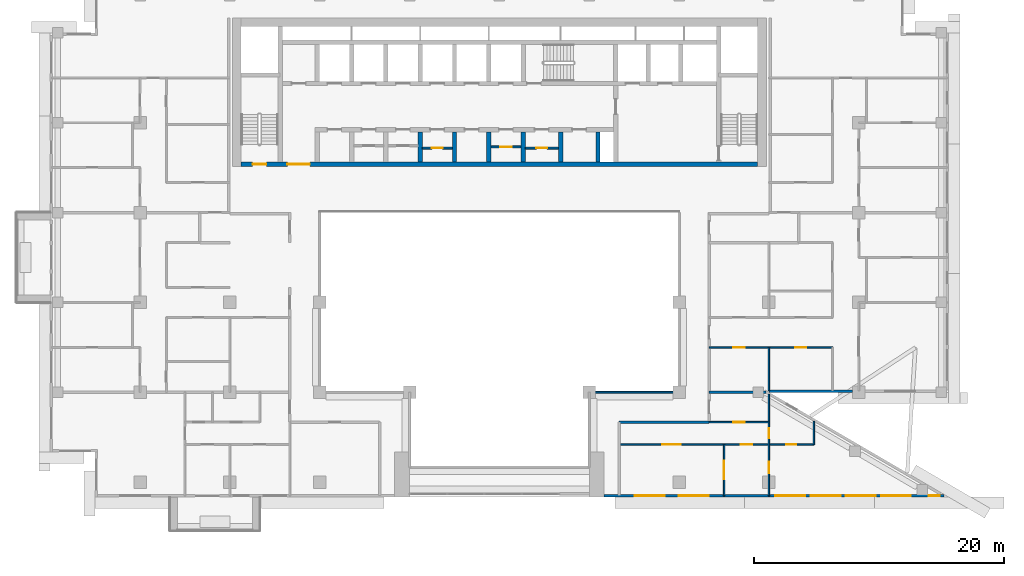
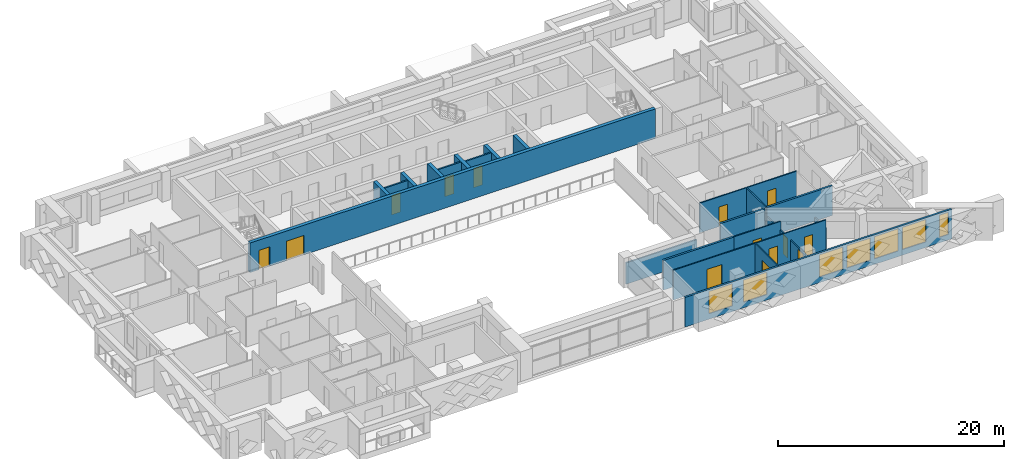
# One storey, part 8 of 20: 22 walls, 14 doors, 7 windows, 21 openings.
"""IFC4 building model written with IfcOpenShell, lengths in metres."""

from ifc_helpers import new_model, si_unit, direction, frame, frame_2d, origin, place, context, subcontext, project, spatial, rectangle, extrude, material, layer, layer_set, type_object, element, fill, save


model = new_model("IFC4")

# Units and contexts
model_context = context("Model", 3, precision=1e-05, world=origin(), true_north=direction((0.0, 1.0)))
body_context = subcontext(model_context, "Body", "Model", "MODEL_VIEW")
ifc_project = project(units=[si_unit("LENGTHUNIT", "METRE"), si_unit("AREAUNIT", "SQUARE_METRE"), si_unit("VOLUMEUNIT", "CUBIC_METRE"), si_unit("PLANEANGLEUNIT", "RADIAN"), si_unit("MASSUNIT", "GRAM", prefix="KILO")], contexts=[model_context])

# Site, building, storey
site_placement = place(None, origin())
site = spatial("IfcSite", under=ifc_project, at=site_placement, CompositionType="ELEMENT")
building_placement = place(site_placement, origin())
building = spatial("IfcBuilding", under=site, at=building_placement, Name="Saffron Iwan Residences", CompositionType="ELEMENT")
storey_placement = place(building_placement, frame((0.0, 0.0, 164.0)))
storey = spatial("IfcBuildingStorey", under=building, at=storey_placement, Name="L43", CompositionType="ELEMENT", Elevation=164.0)

# Wall
ifc_material_1 = material(Name="Fire-rated glazing", Category="glass")
ifc_layer_1 = layer(ifc_material_1, 0.14990234375)
ifc_layer_set_1 = layer_set([ifc_layer_1], Name="Fire-rated glazing")
wall_type_1 = type_object("IfcWallType", Name="Atrium glazed screen 150", PredefinedType="SOLIDWALL", material=ifc_layer_set_1)
wall_1_placement = place(storey_placement, frame((57.60009765625, 48.0, 0.0), z_axis=(0.0, 0.0, 1.0), x_axis=(1.0, 0.0, 0.0)))
element("IfcWall", 1, at=wall_1_placement, inside=storey, type_object=wall_type_1, Name="W-L43-SCREEN-h48-57.6", PredefinedType="SOLIDWALL", context=body_context, shape_type="SweptSolid", body=[
    extrude(rectangle(XDim=7.199951171875, YDim=0.14990234375, at=frame_2d((3.60009765625, 0.0))), origin(), (0.0, 0.0, 1.0), 2.300048828125),
])

# Wall, opening, door
ifc_material_2 = material(Name="Fire-rated plasterboard partition")
ifc_layer_2 = layer(ifc_material_2, 0.14990234375)
ifc_layer_set_2 = layer_set([ifc_layer_2], Name="Fire-rated plasterboard partition")
wall_type_2 = type_object("IfcWallType", Name="Core partition 150", PredefinedType="PARTITIONING", material=ifc_layer_set_2)
wall_2_placement = place(storey_placement, frame((44.22509765625, 67.5654296875, 0.0), z_axis=(0.0, 0.0, 1.0), x_axis=(1.0, 0.0, 0.0)))
wall_2 = element("IfcWall", 2, at=wall_2_placement, inside=storey, type_object=wall_type_2, Name="Core partition P03", PredefinedType="PARTITIONING", context=body_context, shape_type="SweptSolid", body=[
    extrude(rectangle(XDim=2.39990234375, YDim=0.14990234375, at=frame_2d((1.199951171875, 0.0))), origin(), (0.0, 0.0, 1.0), 3.199951171875),
])
opening_1_placement = place(wall_2_placement, frame((0.75, 0.0, 0.0)))
opening_1 = element("IfcOpeningElement", 3, at=opening_1_placement, cuts=wall_2, Name="Opening SB", PredefinedType="OPENING", context=body_context, shape_type="SweptSolid", body=[
    extrude(rectangle(XDim=0.89990234375, YDim=2.10009765625, at=frame_2d((0.449951171875, 1.050048828125))), frame((0.0, 0.0849609375, 0.0), z_axis=(0.0, -1.0, 0.0), x_axis=(1.0, 0.0, 0.0)), (0.0, 0.0, 1.0), 0.169921875),
])
ifc_material_3 = material(Name="Steel fire door", Category="steel")
door_type_1 = type_object("IfcDoorType", Name="Store door 900", OperationType="NOTDEFINED", PredefinedType="DOOR", material=ifc_material_3)
door_1_placement = place(opening_1_placement, origin())
door_1 = element("IfcDoor", 4, at=door_1_placement, inside=storey, type_object=door_type_1, Name="Door Spares store", OperationType="SINGLE_SWING_LEFT", OverallHeight=2.10009765625, OverallWidth=0.89990234375, PredefinedType="DOOR", context=body_context, shape_type="SweptSolid", body=[
    extrude(rectangle(XDim=0.89990234375, YDim=2.10009765625, at=frame_2d((0.449951171875, 1.050048828125))), frame((0.0, 0.02490234375, 0.0), z_axis=(0.0, -1.0, 0.0), x_axis=(1.0, 0.0, 0.0)), (0.0, 0.0, 1.0), 0.050048828125),
])
fill(opening_1, door_1)

wall_3_placement = place(storey_placement, frame((49.72509765625, 67.66259765625, 0.0), z_axis=(0.0, 0.0, 1.0), x_axis=(1.0, 0.0, 0.0)))
wall_3 = element("IfcWall", 5, at=wall_3_placement, inside=storey, type_object=wall_type_2, Name="Core partition P04", PredefinedType="PARTITIONING", context=body_context, shape_type="SweptSolid", body=[
    extrude(rectangle(XDim=2.39990234375, YDim=0.14990234375, at=frame_2d((1.199951171875, 0.0))), origin(), (0.0, 0.0, 1.0), 3.199951171875),
])
opening_2_placement = place(wall_3_placement, frame((0.75, 0.0, 0.0)))
opening_2 = element("IfcOpeningElement", 6, at=opening_2_placement, cuts=wall_3, Name="Opening SB", PredefinedType="OPENING", context=body_context, shape_type="SweptSolid", body=[
    extrude(rectangle(XDim=0.89990234375, YDim=2.10009765625, at=frame_2d((0.449951171875, 1.050048828125))), frame((0.0, 0.0849609375, 0.0), z_axis=(0.0, -1.0, 0.0), x_axis=(1.0, 0.0, 0.0)), (0.0, 0.0, 1.0), 0.169921875),
])
door_2_placement = place(opening_2_placement, origin())
door_2 = element("IfcDoor", 7, at=door_2_placement, inside=storey, type_object=door_type_1, Name="Door Records store", OperationType="SINGLE_SWING_LEFT", OverallHeight=2.10009765625, OverallWidth=0.89990234375, PredefinedType="DOOR", context=body_context, shape_type="SweptSolid", body=[
    extrude(rectangle(XDim=0.89990234375, YDim=2.10009765625, at=frame_2d((0.449951171875, 1.050048828125))), frame((0.0, 0.02490234375, 0.0), z_axis=(0.0, -1.0, 0.0), x_axis=(1.0, 0.0, 0.0)), (0.0, 0.0, 1.0), 0.050048828125),
])
fill(opening_2, door_2)

wall_4_placement = place(storey_placement, frame((52.47509765625, 67.5654296875, 0.0), z_axis=(0.0, 0.0, 1.0), x_axis=(1.0, 0.0, 0.0)))
wall_4 = element("IfcWall", 8, at=wall_4_placement, inside=storey, type_object=wall_type_2, Name="Core partition P05", PredefinedType="PARTITIONING", context=body_context, shape_type="SweptSolid", body=[
    extrude(rectangle(XDim=2.64990234375, YDim=0.14990234375, at=frame_2d((1.324951171875, 0.0))), origin(), (0.0, 0.0, 1.0), 3.199951171875),
])
opening_3_placement = place(wall_4_placement, frame((0.875, 0.0, 0.0)))
opening_3 = element("IfcOpeningElement", 9, at=opening_3_placement, cuts=wall_4, Name="Opening SB", PredefinedType="OPENING", context=body_context, shape_type="SweptSolid", body=[
    extrude(rectangle(XDim=0.89990234375, YDim=2.10009765625, at=frame_2d((0.449951171875, 1.050048828125))), frame((0.0, 0.0849609375, 0.0), z_axis=(0.0, -1.0, 0.0), x_axis=(1.0, 0.0, 0.0)), (0.0, 0.0, 1.0), 0.169921875),
])
door_3_placement = place(opening_3_placement, origin())
door_3 = element("IfcDoor", 10, at=door_3_placement, inside=storey, type_object=door_type_1, Name="Door Equipment store", OperationType="SINGLE_SWING_RIGHT", OverallHeight=2.10009765625, OverallWidth=0.89990234375, PredefinedType="DOOR", context=body_context, shape_type="SweptSolid", body=[
    extrude(rectangle(XDim=0.89990234375, YDim=2.10009765625, at=frame_2d((0.449951171875, 1.050048828125))), frame((0.0, 0.02490234375, 0.0), z_axis=(0.0, -1.0, 0.0), x_axis=(1.0, 0.0, 0.0)), (0.0, 0.0, 1.0), 0.050048828125),
])
fill(opening_3, door_3)

# Wall
ifc_material_4 = material(Name="Concrete C40/50", Category="concrete")
ifc_layer_3 = layer(ifc_material_4, 0.199951171875)
ifc_layer_set_3 = layer_set([ifc_layer_3], Name="Concrete C40/50")
wall_type_3 = type_object("IfcWallType", Name="EXTERNAL WALL 200", PredefinedType="SOLIDWALL", material=ifc_layer_set_3)
wall_5_placement = place(storey_placement, frame((71.989990234375, 48.10009765625, 0.0), z_axis=(0.0, 0.0, 1.0), x_axis=(1.0, 0.0, 0.0)))
element("IfcWall", 11, at=wall_5_placement, inside=storey, type_object=wall_type_3, Name="External wall L43 F1.0", PredefinedType="SOLIDWALL", context=body_context, shape_type="SweptSolid", body=[
    extrude(rectangle(XDim=6.7099609375, YDim=0.199951171875, at=frame_2d((3.35498046875, 0.0))), origin(), (0.0, 0.0, 1.0), 3.199951171875),
])

# Wall, openings, windows
wall_6_placement = place(storey_placement, frame((58.800048828125, 39.699951171875, 0.0), z_axis=(0.0, 0.0, 1.0), x_axis=(1.0, 0.0, 0.0)))
wall_6 = element("IfcWall", 12, at=wall_6_placement, inside=storey, type_object=wall_type_3, Name="External wall L43 F11.1", PredefinedType="SOLIDWALL", context=body_context, shape_type="SweptSolid", body=[
    extrude(rectangle(XDim=27.22998046875, YDim=0.199951171875, at=frame_2d((13.614990234375, 0.0))), origin(), (0.0, 0.0, 1.0), 3.199951171875),
])
opening_4_placement = place(wall_6_placement, frame((2.433349609375, 0.0, 0.60009765625)))
opening_4 = element("IfcOpeningElement", 13, at=opening_4_placement, cuts=wall_6, Name="Opening W1", PredefinedType="OPENING", context=body_context, shape_type="SweptSolid", body=[
    extrude(rectangle(XDim=2.39990234375, YDim=2.39990234375, at=frame_2d((1.199951171875, 1.199951171875))), frame((0.0, 0.10986328125, 0.0), z_axis=(0.0, -1.0, 0.0), x_axis=(1.0, 0.0, 0.0)), (0.0, 0.0, 1.0), 0.219970703125),
])
opening_5_placement = place(wall_6_placement, frame((5.966796875, 0.0, 0.60009765625)))
opening_5 = element("IfcOpeningElement", 14, at=opening_5_placement, cuts=wall_6, Name="Opening W1", PredefinedType="OPENING", context=body_context, shape_type="SweptSolid", body=[
    extrude(rectangle(XDim=2.39990234375, YDim=2.39990234375, at=frame_2d((1.199951171875, 1.199951171875))), frame((0.0, 0.10986328125, 0.0), z_axis=(0.0, -1.0, 0.0), x_axis=(1.0, 0.0, 0.0)), (0.0, 0.0, 1.0), 0.219970703125),
])
opening_6_placement = place(wall_6_placement, frame((13.72021484375, 0.0, 0.60009765625)))
opening_6 = element("IfcOpeningElement", 15, at=opening_6_placement, cuts=wall_6, Name="Opening W1", PredefinedType="OPENING", context=body_context, shape_type="SweptSolid", body=[
    extrude(rectangle(XDim=2.39990234375, YDim=2.39990234375, at=frame_2d((1.199951171875, 1.199951171875))), frame((0.0, 0.10986328125, 0.0), z_axis=(0.0, -1.0, 0.0), x_axis=(1.0, 0.0, 0.0)), (0.0, 0.0, 1.0), 0.219970703125),
])
opening_7_placement = place(wall_6_placement, frame((16.54052734375, 0.0, 0.60009765625)))
opening_7 = element("IfcOpeningElement", 16, at=opening_7_placement, cuts=wall_6, Name="Opening W1", PredefinedType="OPENING", context=body_context, shape_type="SweptSolid", body=[
    extrude(rectangle(XDim=2.39990234375, YDim=2.39990234375, at=frame_2d((1.199951171875, 1.199951171875))), frame((0.0, 0.10986328125, 0.0), z_axis=(0.0, -1.0, 0.0), x_axis=(1.0, 0.0, 0.0)), (0.0, 0.0, 1.0), 0.219970703125),
])
opening_8_placement = place(wall_6_placement, frame((19.360595703125, 0.0, 0.60009765625)))
opening_8 = element("IfcOpeningElement", 17, at=opening_8_placement, cuts=wall_6, Name="Opening W1", PredefinedType="OPENING", context=body_context, shape_type="SweptSolid", body=[
    extrude(rectangle(XDim=2.39990234375, YDim=2.39990234375, at=frame_2d((1.199951171875, 1.199951171875))), frame((0.0, 0.10986328125, 0.0), z_axis=(0.0, -1.0, 0.0), x_axis=(1.0, 0.0, 0.0)), (0.0, 0.0, 1.0), 0.219970703125),
])
opening_9_placement = place(wall_6_placement, frame((22.180908203125, 0.0, 0.60009765625)))
opening_9 = element("IfcOpeningElement", 18, at=opening_9_placement, cuts=wall_6, Name="Opening W1", PredefinedType="OPENING", context=body_context, shape_type="SweptSolid", body=[
    extrude(rectangle(XDim=2.39990234375, YDim=2.39990234375, at=frame_2d((1.199951171875, 1.199951171875))), frame((0.0, 0.10986328125, 0.0), z_axis=(0.0, -1.0, 0.0), x_axis=(1.0, 0.0, 0.0)), (0.0, 0.0, 1.0), 0.219970703125),
])
opening_10_placement = place(wall_6_placement, frame((25.990478515625, 0.0, 0.60009765625)))
opening_10 = element("IfcOpeningElement", 19, at=opening_10_placement, cuts=wall_6, Name="Opening W10", PredefinedType="OPENING", context=body_context, shape_type="SweptSolid", body=[
    extrude(rectangle(XDim=0.89990234375, YDim=2.39990234375, at=frame_2d((0.449951171875, 1.199951171875))), frame((0.0, 0.10986328125, 0.0), z_axis=(0.0, -1.0, 0.0), x_axis=(1.0, 0.0, 0.0)), (0.0, 0.0, 1.0), 0.219970703125),
])
ifc_material_5 = material(Name="Clear glass, laminated double glazed", Category="glass")
window_type_1 = type_object("IfcWindowType", Name="WINDOW 2400 x 2400", PartitioningType="DOUBLE_PANEL_VERTICAL", PredefinedType="WINDOW", material=ifc_material_5)
window_1_placement = place(opening_4_placement, origin())
window_1 = element("IfcWindow", 20, at=window_1_placement, inside=storey, type_object=window_type_1, Name="Window L43 F11.0", OverallHeight=2.39990234375, OverallWidth=2.39990234375, PartitioningType="DOUBLE_PANEL_VERTICAL", PredefinedType="WINDOW", context=body_context, shape_type="SweptSolid", body=[
    extrude(rectangle(XDim=2.39990234375, YDim=2.39990234375, at=frame_2d((1.199951171875, 1.199951171875))), frame((0.0, 0.030029296875, 0.0), z_axis=(0.0, -1.0, 0.0), x_axis=(1.0, 0.0, 0.0)), (0.0, 0.0, 1.0), 0.06005859375),
])
fill(opening_4, window_1)
window_2_placement = place(opening_5_placement, origin())
window_2 = element("IfcWindow", 21, at=window_2_placement, inside=storey, type_object=window_type_1, Name="Window L43 F11.1", OverallHeight=2.39990234375, OverallWidth=2.39990234375, PartitioningType="DOUBLE_PANEL_VERTICAL", PredefinedType="WINDOW", context=body_context, shape_type="SweptSolid", body=[
    extrude(rectangle(XDim=2.39990234375, YDim=2.39990234375, at=frame_2d((1.199951171875, 1.199951171875))), frame((0.0, 0.030029296875, 0.0), z_axis=(0.0, -1.0, 0.0), x_axis=(1.0, 0.0, 0.0)), (0.0, 0.0, 1.0), 0.06005859375),
])
fill(opening_5, window_2)
window_3_placement = place(opening_6_placement, origin())
window_3 = element("IfcWindow", 22, at=window_3_placement, inside=storey, type_object=window_type_1, Name="Window L43 F11.2", OverallHeight=2.39990234375, OverallWidth=2.39990234375, PartitioningType="DOUBLE_PANEL_VERTICAL", PredefinedType="WINDOW", context=body_context, shape_type="SweptSolid", body=[
    extrude(rectangle(XDim=2.39990234375, YDim=2.39990234375, at=frame_2d((1.199951171875, 1.199951171875))), frame((0.0, 0.030029296875, 0.0), z_axis=(0.0, -1.0, 0.0), x_axis=(1.0, 0.0, 0.0)), (0.0, 0.0, 1.0), 0.06005859375),
])
fill(opening_6, window_3)
window_4_placement = place(opening_7_placement, origin())
window_4 = element("IfcWindow", 23, at=window_4_placement, inside=storey, type_object=window_type_1, Name="Window L43 F11.3", OverallHeight=2.39990234375, OverallWidth=2.39990234375, PartitioningType="DOUBLE_PANEL_VERTICAL", PredefinedType="WINDOW", context=body_context, shape_type="SweptSolid", body=[
    extrude(rectangle(XDim=2.39990234375, YDim=2.39990234375, at=frame_2d((1.199951171875, 1.199951171875))), frame((0.0, 0.030029296875, 0.0), z_axis=(0.0, -1.0, 0.0), x_axis=(1.0, 0.0, 0.0)), (0.0, 0.0, 1.0), 0.06005859375),
])
fill(opening_7, window_4)
window_5_placement = place(opening_8_placement, origin())
window_5 = element("IfcWindow", 24, at=window_5_placement, inside=storey, type_object=window_type_1, Name="Window L43 F11.4", OverallHeight=2.39990234375, OverallWidth=2.39990234375, PartitioningType="DOUBLE_PANEL_VERTICAL", PredefinedType="WINDOW", context=body_context, shape_type="SweptSolid", body=[
    extrude(rectangle(XDim=2.39990234375, YDim=2.39990234375, at=frame_2d((1.199951171875, 1.199951171875))), frame((0.0, 0.030029296875, 0.0), z_axis=(0.0, -1.0, 0.0), x_axis=(1.0, 0.0, 0.0)), (0.0, 0.0, 1.0), 0.06005859375),
])
fill(opening_8, window_5)
window_6_placement = place(opening_9_placement, origin())
window_6 = element("IfcWindow", 25, at=window_6_placement, inside=storey, type_object=window_type_1, Name="Window L43 F11.5", OverallHeight=2.39990234375, OverallWidth=2.39990234375, PartitioningType="DOUBLE_PANEL_VERTICAL", PredefinedType="WINDOW", context=body_context, shape_type="SweptSolid", body=[
    extrude(rectangle(XDim=2.39990234375, YDim=2.39990234375, at=frame_2d((1.199951171875, 1.199951171875))), frame((0.0, 0.030029296875, 0.0), z_axis=(0.0, -1.0, 0.0), x_axis=(1.0, 0.0, 0.0)), (0.0, 0.0, 1.0), 0.06005859375),
])
fill(opening_9, window_6)
window_type_2 = type_object("IfcWindowType", Name="WINDOW 900 x 2400", PartitioningType="SINGLE_PANEL", PredefinedType="WINDOW", material=ifc_material_5)
window_7_placement = place(opening_10_placement, origin())
window_7 = element("IfcWindow", 26, at=window_7_placement, inside=storey, type_object=window_type_2, Name="Window L43 F11.6", OverallHeight=2.39990234375, OverallWidth=0.89990234375, PartitioningType="SINGLE_PANEL", PredefinedType="WINDOW", context=body_context, shape_type="SweptSolid", body=[
    extrude(rectangle(XDim=0.89990234375, YDim=2.39990234375, at=frame_2d((0.449951171875, 1.199951171875))), frame((0.0, 0.030029296875, 0.0), z_axis=(0.0, -1.0, 0.0), x_axis=(1.0, 0.0, 0.0)), (0.0, 0.0, 1.0), 0.06005859375),
])
fill(opening_10, window_7)

# Wall
ifc_material_6 = material(Name="Fire-rated gypsum board wall")
ifc_layer_4 = layer(ifc_material_6, 0.199951171875)
ifc_layer_set_4 = layer_set([ifc_layer_4], Name="Fire-rated gypsum board wall")
wall_type_4 = type_object("IfcWallType", Name="Flat demising wall 200", PredefinedType="SOLIDWALL", material=ifc_layer_set_4)
wall_7_placement = place(storey_placement, frame((67.199951171875, 48.0, 0.0), z_axis=(0.0, 0.0, 1.0), x_axis=(1.0, 0.0, 0.0)))
element("IfcWall", 27, at=wall_7_placement, inside=storey, type_object=wall_type_4, Name="W-L43-DEMISE-h48-67.2", PredefinedType="SOLIDWALL", context=body_context, shape_type="SweptSolid", body=[
    extrude(rectangle(XDim=4.552001953125, YDim=0.199951171875, at=frame_2d((2.27587890625, 0.0))), origin(), (0.0, 0.0, 1.0), 3.199951171875),
])

# Wall, openings, doors
ifc_material_7 = material(Name="Gypsum board partition")
ifc_layer_5 = layer(ifc_material_7, 0.1201171875)
ifc_layer_set_5 = layer_set([ifc_layer_5], Name="Gypsum board partition")
wall_type_5 = type_object("IfcWallType", Name="Flat partition 120", PredefinedType="PARTITIONING", material=ifc_layer_set_5)
wall_8_placement = place(storey_placement, frame((60.0, 43.800048828125, 0.0), z_axis=(0.0, 0.0, 1.0), x_axis=(1.0, 0.0, 0.0)))
wall_8 = element("IfcWall", 28, at=wall_8_placement, inside=storey, type_object=wall_type_5, Name="W-L43-PART-h43.8-60", PredefinedType="PARTITIONING", context=body_context, shape_type="SweptSolid", body=[
    extrude(rectangle(XDim=15.60009765625, YDim=0.1201171875, at=frame_2d((7.800048828125, 0.0))), origin(), (0.0, 0.0, 1.0), 3.199951171875),
])
opening_11_placement = place(wall_8_placement, frame((9.75, 0.0, 0.0)))
opening_11 = element("IfcOpeningElement", 29, at=opening_11_placement, cuts=wall_8, Name="Opening FD2", PredefinedType="OPENING", context=body_context, shape_type="SweptSolid", body=[
    extrude(rectangle(XDim=0.89990234375, YDim=2.10009765625, at=frame_2d((0.449951171875, 1.050048828125))), frame((0.0, 0.070068359375, 0.0), z_axis=(0.0, -1.0, 0.0), x_axis=(1.0, 0.0, 0.0)), (0.0, 0.0, 1.0), 0.14013671875),
])
opening_12_placement = place(wall_8_placement, frame((3.449951171875, 0.0, 0.0)))
opening_12 = element("IfcOpeningElement", 30, at=opening_12_placement, cuts=wall_8, Name="Opening FD4", PredefinedType="OPENING", context=body_context, shape_type="SweptSolid", body=[
    extrude(rectangle(XDim=1.5, YDim=2.10009765625, at=frame_2d((0.75, 1.050048828125))), frame((0.0, 0.070068359375, 0.0), z_axis=(0.0, -1.0, 0.0), x_axis=(1.0, 0.0, 0.0)), (0.0, 0.0, 1.0), 0.14013671875),
])
opening_13_placement = place(wall_8_placement, frame((13.39990234375, 0.0, 0.0)))
opening_13 = element("IfcOpeningElement", 31, at=opening_13_placement, cuts=wall_8, Name="Opening FD3", PredefinedType="OPENING", context=body_context, shape_type="SweptSolid", body=[
    extrude(rectangle(XDim=0.800048828125, YDim=2.10009765625, at=frame_2d((0.39990234375, 1.050048828125))), frame((0.0, 0.070068359375, 0.0), z_axis=(0.0, -1.0, 0.0), x_axis=(1.0, 0.0, 0.0)), (0.0, 0.0, 1.0), 0.14013671875),
])
ifc_material_8 = material(Name="Timber door", Category="wood")
door_type_2 = type_object("IfcDoorType", Name="Bathroom door 800", OperationType="NOTDEFINED", PredefinedType="DOOR", material=ifc_material_8)
door_4_placement = place(opening_13_placement, origin())
door_4 = element("IfcDoor", 32, at=door_4_placement, inside=storey, type_object=door_type_2, Name="Door L43-048", OperationType="SINGLE_SWING_RIGHT", OverallHeight=2.10009765625, OverallWidth=0.800048828125, PredefinedType="DOOR", context=body_context, shape_type="SweptSolid", body=[
    extrude(rectangle(XDim=0.800048828125, YDim=2.10009765625, at=frame_2d((0.39990234375, 1.050048828125))), frame((0.0, 0.02490234375, 0.0), z_axis=(0.0, -1.0, 0.0), x_axis=(1.0, 0.0, 0.0)), (0.0, 0.0, 1.0), 0.050048828125),
])
fill(opening_13, door_4)
door_type_3 = type_object("IfcDoorType", Name="Double door 1500", OperationType="NOTDEFINED", PredefinedType="DOOR", material=ifc_material_8)
door_5_placement = place(opening_12_placement, origin())
door_5 = element("IfcDoor", 33, at=door_5_placement, inside=storey, type_object=door_type_3, Name="Door L43-045", OperationType="SINGLE_SWING_RIGHT", OverallHeight=2.10009765625, OverallWidth=1.5, PredefinedType="DOOR", context=body_context, shape_type="SweptSolid", body=[
    extrude(rectangle(XDim=1.5, YDim=2.10009765625, at=frame_2d((0.75, 1.050048828125))), frame((0.0, 0.02490234375, 0.0), z_axis=(0.0, -1.0, 0.0), x_axis=(1.0, 0.0, 0.0)), (0.0, 0.0, 1.0), 0.050048828125),
])
fill(opening_12, door_5)
door_type_4 = type_object("IfcDoorType", Name="Flat door 900", OperationType="NOTDEFINED", PredefinedType="DOOR", material=ifc_material_8)
door_6_placement = place(opening_11_placement, origin())
door_6 = element("IfcDoor", 34, at=door_6_placement, inside=storey, type_object=door_type_4, Name="Door L43-044", OperationType="SINGLE_SWING_LEFT", OverallHeight=2.10009765625, OverallWidth=0.89990234375, PredefinedType="DOOR", context=body_context, shape_type="SweptSolid", body=[
    extrude(rectangle(XDim=0.89990234375, YDim=2.10009765625, at=frame_2d((0.449951171875, 1.050048828125))), frame((0.0, 0.02490234375, 0.0), z_axis=(0.0, -1.0, 0.0), x_axis=(1.0, 0.0, 0.0)), (0.0, 0.0, 1.0), 0.050048828125),
])
fill(opening_11, door_6)

# Wall, opening, door
wall_9_placement = place(storey_placement, frame((67.199951171875, 45.60009765625, 0.0), z_axis=(0.0, 0.0, 1.0), x_axis=(1.0, 0.0, 0.0)))
wall_9 = element("IfcWall", 35, at=wall_9_placement, inside=storey, type_object=wall_type_5, Name="W-L43-PART-h45.6-67.2", PredefinedType="PARTITIONING", context=body_context, shape_type="SweptSolid", body=[
    extrude(rectangle(XDim=4.800048828125, YDim=0.1201171875, at=frame_2d((2.39990234375, 0.0))), origin(), (0.0, 0.0, 1.0), 3.199951171875),
])
opening_14_placement = place(wall_9_placement, frame((1.949951171875, 0.0, 0.0)))
opening_14 = element("IfcOpeningElement", 36, at=opening_14_placement, cuts=wall_9, Name="Opening FD2", PredefinedType="OPENING", context=body_context, shape_type="SweptSolid", body=[
    extrude(rectangle(XDim=0.89990234375, YDim=2.10009765625, at=frame_2d((0.449951171875, 1.050048828125))), frame((0.0, 0.070068359375, 0.0), z_axis=(0.0, -1.0, 0.0), x_axis=(1.0, 0.0, 0.0)), (0.0, 0.0, 1.0), 0.14013671875),
])
door_7_placement = place(opening_14_placement, origin())
door_7 = element("IfcDoor", 37, at=door_7_placement, inside=storey, type_object=door_type_4, Name="Door L43-042", OperationType="SINGLE_SWING_RIGHT", OverallHeight=2.10009765625, OverallWidth=0.89990234375, PredefinedType="DOOR", context=body_context, shape_type="SweptSolid", body=[
    extrude(rectangle(XDim=0.89990234375, YDim=2.10009765625, at=frame_2d((0.449951171875, 1.050048828125))), frame((0.0, 0.02490234375, 0.0), z_axis=(0.0, -1.0, 0.0), x_axis=(1.0, 0.0, 0.0)), (0.0, 0.0, 1.0), 0.050048828125),
])
fill(opening_14, door_7)

# Wall, openings, doors
wall_10_placement = place(storey_placement, frame((67.199951171875, 51.60009765625, 0.0), z_axis=(0.0, 0.0, 1.0), x_axis=(1.0, 0.0, 0.0)))
wall_10 = element("IfcWall", 38, at=wall_10_placement, inside=storey, type_object=wall_type_5, Name="W-L43-PART-h51.6-67.2", PredefinedType="PARTITIONING", context=body_context, shape_type="SweptSolid", body=[
    extrude(rectangle(XDim=9.900146484375, YDim=0.1201171875, at=frame_2d((4.9501953125, 0.0))), origin(), (0.0, 0.0, 1.0), 3.199951171875),
])
opening_15_placement = place(wall_10_placement, frame((6.89990234375, 0.0, 0.0)))
opening_15 = element("IfcOpeningElement", 39, at=opening_15_placement, cuts=wall_10, Name="Opening FD2", PredefinedType="OPENING", context=body_context, shape_type="SweptSolid", body=[
    extrude(rectangle(XDim=0.89990234375, YDim=2.10009765625, at=frame_2d((0.449951171875, 1.050048828125))), frame((0.0, 0.070068359375, 0.0), z_axis=(0.0, -1.0, 0.0), x_axis=(1.0, 0.0, 0.0)), (0.0, 0.0, 1.0), 0.14013671875),
])
opening_16_placement = place(wall_10_placement, frame((1.949951171875, 0.0, 0.0)))
opening_16 = element("IfcOpeningElement", 40, at=opening_16_placement, cuts=wall_10, Name="Opening FD2", PredefinedType="OPENING", context=body_context, shape_type="SweptSolid", body=[
    extrude(rectangle(XDim=0.89990234375, YDim=2.10009765625, at=frame_2d((0.449951171875, 1.050048828125))), frame((0.0, 0.070068359375, 0.0), z_axis=(0.0, -1.0, 0.0), x_axis=(1.0, 0.0, 0.0)), (0.0, 0.0, 1.0), 0.14013671875),
])
door_8_placement = place(opening_15_placement, origin())
door_8 = element("IfcDoor", 41, at=door_8_placement, inside=storey, type_object=door_type_4, Name="Door L43-020", OperationType="SINGLE_SWING_LEFT", OverallHeight=2.10009765625, OverallWidth=0.89990234375, PredefinedType="DOOR", context=body_context, shape_type="SweptSolid", body=[
    extrude(rectangle(XDim=0.89990234375, YDim=2.10009765625, at=frame_2d((0.449951171875, 1.050048828125))), frame((0.0, 0.02490234375, 0.0), z_axis=(0.0, -1.0, 0.0), x_axis=(1.0, 0.0, 0.0)), (0.0, 0.0, 1.0), 0.050048828125),
])
fill(opening_15, door_8)
door_9_placement = place(opening_16_placement, origin())
door_9 = element("IfcDoor", 42, at=door_9_placement, inside=storey, type_object=door_type_4, Name="Door L43-023", OperationType="SINGLE_SWING_LEFT", OverallHeight=2.10009765625, OverallWidth=0.89990234375, PredefinedType="DOOR", context=body_context, shape_type="SweptSolid", body=[
    extrude(rectangle(XDim=0.89990234375, YDim=2.10009765625, at=frame_2d((0.449951171875, 1.050048828125))), frame((0.0, 0.02490234375, 0.0), z_axis=(0.0, -1.0, 0.0), x_axis=(1.0, 0.0, 0.0)), (0.0, 0.0, 1.0), 0.050048828125),
])
fill(opening_16, door_9)

# Wall, opening, door
wall_11_placement = place(storey_placement, frame((68.39990234375, 39.72509765625, 0.0), z_axis=(0.0, 0.0, 1.0), x_axis=(0.0, 1.0, 0.0)))
wall_11 = element("IfcWall", 43, at=wall_11_placement, inside=storey, type_object=wall_type_5, Name="W-L43-PART-v68.4-39.725", PredefinedType="PARTITIONING", context=body_context, shape_type="SweptSolid", body=[
    extrude(rectangle(XDim=4.074951171875, YDim=0.1201171875, at=frame_2d((2.03759765625, 0.0))), origin(), (0.0, 0.0, 1.0), 3.199951171875),
])
opening_17_placement = place(wall_11_placement, frame((1.28759765625, 0.0, 0.0)))
opening_17 = element("IfcOpeningElement", 44, at=opening_17_placement, cuts=wall_11, Name="Opening FD4", PredefinedType="OPENING", context=body_context, shape_type="SweptSolid", body=[
    extrude(rectangle(XDim=1.5, YDim=2.10009765625, at=frame_2d((0.75, 1.050048828125))), frame((0.0, 0.070068359375, 0.0), z_axis=(0.0, -1.0, 0.0), x_axis=(1.0, 0.0, 0.0)), (0.0, 0.0, 1.0), 0.14013671875),
])
door_10_placement = place(opening_17_placement, origin())
door_10 = element("IfcDoor", 45, at=door_10_placement, inside=storey, type_object=door_type_3, Name="Door L43-041", OperationType="SINGLE_SWING_LEFT", OverallHeight=2.10009765625, OverallWidth=1.5, PredefinedType="DOOR", context=body_context, shape_type="SweptSolid", body=[
    extrude(rectangle(XDim=1.5, YDim=2.10009765625, at=frame_2d((0.75, 1.050048828125))), frame((0.0, 0.02490234375, 0.0), z_axis=(0.0, -1.0, 0.0), x_axis=(1.0, 0.0, 0.0)), (0.0, 0.0, 1.0), 0.050048828125),
])
fill(opening_17, door_10)

# Wall, openings, doors
wall_12_placement = place(storey_placement, frame((72.0, 39.72509765625, 0.0), z_axis=(0.0, 0.0, 1.0), x_axis=(0.0, 1.0, 0.0)))
wall_12 = element("IfcWall", 46, at=wall_12_placement, inside=storey, type_object=wall_type_5, Name="W-L43-PART-v72-39.725", PredefinedType="PARTITIONING", context=body_context, shape_type="SweptSolid", body=[
    extrude(rectangle(XDim=8.1298828125, YDim=0.1201171875, at=frame_2d((4.06494140625, 0.0))), origin(), (0.0, 0.0, 1.0), 2.300048828125),
])
opening_18_placement = place(wall_12_placement, frame((1.78759765625, 0.0, 0.0)))
opening_18 = element("IfcOpeningElement", 47, at=opening_18_placement, cuts=wall_12, Name="Opening FD2", PredefinedType="OPENING", context=body_context, shape_type="SweptSolid", body=[
    extrude(rectangle(XDim=0.89990234375, YDim=2.10009765625, at=frame_2d((0.449951171875, 1.050048828125))), frame((0.0, 0.070068359375, 0.0), z_axis=(0.0, -1.0, 0.0), x_axis=(1.0, 0.0, 0.0)), (0.0, 0.0, 1.0), 0.14013671875),
])
opening_19_placement = place(wall_12_placement, frame((4.574951171875, 0.0, 0.0)))
opening_19 = element("IfcOpeningElement", 48, at=opening_19_placement, cuts=wall_12, Name="Opening FD3", PredefinedType="OPENING", context=body_context, shape_type="SweptSolid", body=[
    extrude(rectangle(XDim=0.800048828125, YDim=2.10009765625, at=frame_2d((0.39990234375, 1.050048828125))), frame((0.0, 0.070068359375, 0.0), z_axis=(0.0, -1.0, 0.0), x_axis=(1.0, 0.0, 0.0)), (0.0, 0.0, 1.0), 0.14013671875),
])
door_11_placement = place(opening_19_placement, origin())
door_11 = element("IfcDoor", 49, at=door_11_placement, inside=storey, type_object=door_type_2, Name="Door L43-047", OperationType="SINGLE_SWING_LEFT", OverallHeight=2.10009765625, OverallWidth=0.800048828125, PredefinedType="DOOR", context=body_context, shape_type="SweptSolid", body=[
    extrude(rectangle(XDim=0.800048828125, YDim=2.10009765625, at=frame_2d((0.39990234375, 1.050048828125))), frame((0.0, 0.02490234375, 0.0), z_axis=(0.0, -1.0, 0.0), x_axis=(1.0, 0.0, 0.0)), (0.0, 0.0, 1.0), 0.050048828125),
])
fill(opening_19, door_11)
door_12_placement = place(opening_18_placement, origin())
door_12 = element("IfcDoor", 50, at=door_12_placement, inside=storey, type_object=door_type_4, Name="Door L43-046", OperationType="SINGLE_SWING_RIGHT", OverallHeight=2.10009765625, OverallWidth=0.89990234375, PredefinedType="DOOR", context=body_context, shape_type="SweptSolid", body=[
    extrude(rectangle(XDim=0.89990234375, YDim=2.10009765625, at=frame_2d((0.449951171875, 1.050048828125))), frame((0.0, 0.02490234375, 0.0), z_axis=(0.0, -1.0, 0.0), x_axis=(1.0, 0.0, 0.0)), (0.0, 0.0, 1.0), 0.050048828125),
])
fill(opening_18, door_12)

# Walls
wall_13_placement = place(storey_placement, frame((72.0, 48.125, 0.0), z_axis=(0.0, 0.0, 1.0), x_axis=(0.0, 1.0, 0.0)))
element("IfcWall", 51, at=wall_13_placement, inside=storey, type_object=wall_type_5, Name="W-L43-PART-v72-48.125", PredefinedType="PARTITIONING", context=body_context, shape_type="SweptSolid", body=[
    extrude(rectangle(XDim=3.47509765625, YDim=0.1201171875, at=frame_2d((1.737548828125, 0.0))), origin(), (0.0, 0.0, 1.0), 3.199951171875),
])
wall_14_placement = place(storey_placement, frame((75.60009765625, 43.800048828125, 0.0), z_axis=(0.0, 0.0, 1.0), x_axis=(0.0, 1.0, 0.0)))
element("IfcWall", 52, at=wall_14_placement, inside=storey, type_object=wall_type_5, Name="W-L43-PART-v75.6-43.8", PredefinedType="PARTITIONING", context=body_context, shape_type="SweptSolid", body=[
    extrude(rectangle(XDim=1.868408203125, YDim=0.1201171875, at=frame_2d((0.93408203125, 0.0))), origin(), (0.0, 0.0, 1.0), 2.300048828125),
])
ifc_layer_6 = layer(ifc_material_6, 0.199951171875)
ifc_layer_set_6 = layer_set([ifc_layer_6], Name="Fire-rated gypsum board wall")
wall_type_6 = type_object("IfcWallType", Name="Gallery wall 200", PredefinedType="SOLIDWALL", material=ifc_layer_set_6)
wall_15_placement = place(storey_placement, frame((60.0, 45.60009765625, 0.0), z_axis=(0.0, 0.0, 1.0), x_axis=(1.0, 0.0, 0.0)))
element("IfcWall", 53, at=wall_15_placement, inside=storey, type_object=wall_type_6, Name="W-L43-CORR-h45.6-60", PredefinedType="SOLIDWALL", context=body_context, shape_type="SweptSolid", body=[
    extrude(rectangle(XDim=7.199951171875, YDim=0.199951171875, at=frame_2d((3.60009765625, 0.0))), origin(), (0.0, 0.0, 1.0), 3.199951171875),
])

# Wall, openings, doors
ifc_material_9 = material(Name="Concrete C50/60", Category="concrete")
ifc_layer_7 = layer(ifc_material_9, 0.35009765625)
ifc_layer_set_7 = layer_set([ifc_layer_7], Name="Concrete C50/60")
wall_type_7 = type_object("IfcWallType", Name="WALL CORE 350 C50/60 3200 HIGH", PredefinedType="SHEAR", material=ifc_layer_set_7)
wall_16_placement = place(storey_placement, frame((29.699951171875, 66.27490234375, 0.0), z_axis=(0.0, 0.0, 1.0), x_axis=(1.0, 0.0, 0.0)))
wall_16 = element("IfcWall", 54, at=wall_16_placement, inside=storey, type_object=wall_type_7, Name="Core wall", PredefinedType="SHEAR", context=body_context, shape_type="SweptSolid", body=[
    extrude(rectangle(XDim=41.400146484375, YDim=0.35009765625, at=frame_2d((20.7001953125, 0.0))), origin(), (0.0, 0.0, 1.0), 3.199951171875),
])
opening_20_placement = place(wall_16_placement, frame((0.925048828125, 0.0, 0.0)))
opening_20 = element("IfcOpeningElement", 55, at=opening_20_placement, cuts=wall_16, Name="Opening SD", PredefinedType="OPENING", context=body_context, shape_type="SweptSolid", body=[
    extrude(rectangle(XDim=1.10009765625, YDim=2.10009765625, at=frame_2d((0.550048828125, 1.050048828125))), frame((0.0, 0.18505859375, 0.0), z_axis=(0.0, -1.0, 0.0), x_axis=(1.0, 0.0, 0.0)), (0.0, 0.0, 1.0), 0.3701171875),
])
opening_21_placement = place(wall_16_placement, frame((3.71240234375, 0.0, 0.0)))
opening_21 = element("IfcOpeningElement", 56, at=opening_21_placement, cuts=wall_16, Name="Opening DD", PredefinedType="OPENING", context=body_context, shape_type="SweptSolid", body=[
    extrude(rectangle(XDim=1.800048828125, YDim=2.10009765625, at=frame_2d((0.89990234375, 1.050048828125))), frame((0.0, 0.18505859375, 0.0), z_axis=(0.0, -1.0, 0.0), x_axis=(1.0, 0.0, 0.0)), (0.0, 0.0, 1.0), 0.3701171875),
])
door_type_5 = type_object("IfcDoorType", Name="Lobby double door 1800", OperationType="DOUBLE_DOOR_SINGLE_SWING", PredefinedType="DOOR", material=ifc_material_3)
door_13_placement = place(opening_21_placement, origin())
door_13 = element("IfcDoor", 57, at=door_13_placement, inside=storey, type_object=door_type_5, Name="Lobby doors", OperationType="DOUBLE_DOOR_SINGLE_SWING", OverallHeight=2.10009765625, OverallWidth=1.800048828125, PredefinedType="DOOR", context=body_context, shape_type="SweptSolid", body=[
    extrude(rectangle(XDim=1.800048828125, YDim=2.10009765625, at=frame_2d((0.89990234375, 1.050048828125))), frame((0.0, 0.02490234375, 0.0), z_axis=(0.0, -1.0, 0.0), x_axis=(1.0, 0.0, 0.0)), (0.0, 0.0, 1.0), 0.050048828125),
])
fill(opening_21, door_13)
door_type_6 = type_object("IfcDoorType", Name="Stair door 1100", OperationType="NOTDEFINED", PredefinedType="DOOR", material=ifc_material_3)
door_14_placement = place(opening_20_placement, origin())
door_14 = element("IfcDoor", 58, at=door_14_placement, inside=storey, type_object=door_type_6, Name="Stair door ST-W", OperationType="SINGLE_SWING_LEFT", OverallHeight=2.10009765625, OverallWidth=1.10009765625, PredefinedType="DOOR", context=body_context, shape_type="SweptSolid", body=[
    extrude(rectangle(XDim=1.10009765625, YDim=2.10009765625, at=frame_2d((0.550048828125, 1.050048828125))), frame((0.0, 0.02490234375, 0.0), z_axis=(0.0, -1.0, 0.0), x_axis=(1.0, 0.0, 0.0)), (0.0, 0.0, 1.0), 0.050048828125),
])
fill(opening_20, door_14)

# Walls
for number, where, z_axis, x_axis, name in (
    (59, (44.050048828125, 66.449951171875, 0.0), (0.0, 0.0, 1.0), (0.0, 1.0, 0.0), "Core wall"),
    (60, (46.800048828125, 66.449951171875, 0.0), (0.0, 0.0, 1.0), (0.0, 1.0, 0.0), "Core wall"),
    (61, (49.550048828125, 66.449951171875, 0.0), (0.0, 0.0, 1.0), (0.0, 1.0, 0.0), "Core wall"),
    (62, (52.300048828125, 66.449951171875, 0.0), (0.0, 0.0, 1.0), (0.0, 1.0, 0.0), "Core wall"),
    (63, (55.300048828125, 66.449951171875, 0.0), (0.0, 0.0, 1.0), (0.0, 1.0, 0.0), "Core wall"),
    (64, (58.300048828125, 66.449951171875, 0.0), (0.0, 0.0, 1.0), (0.0, 1.0, 0.0), "Core wall"),
):
    element("IfcWall", number, at=place(storey_placement, frame(where, z_axis=z_axis, x_axis=x_axis)), inside=storey, type_object=wall_type_7, Name=name, PredefinedType="SHEAR", context=body_context, shape_type="SweptSolid", body=[
        extrude(rectangle(XDim=2.425048828125, YDim=0.35009765625, at=frame_2d((1.21240234375, 0.0))), origin(), (0.0, 0.0, 1.0), 3.199951171875),
    ])

save(model, "model.ifc")
